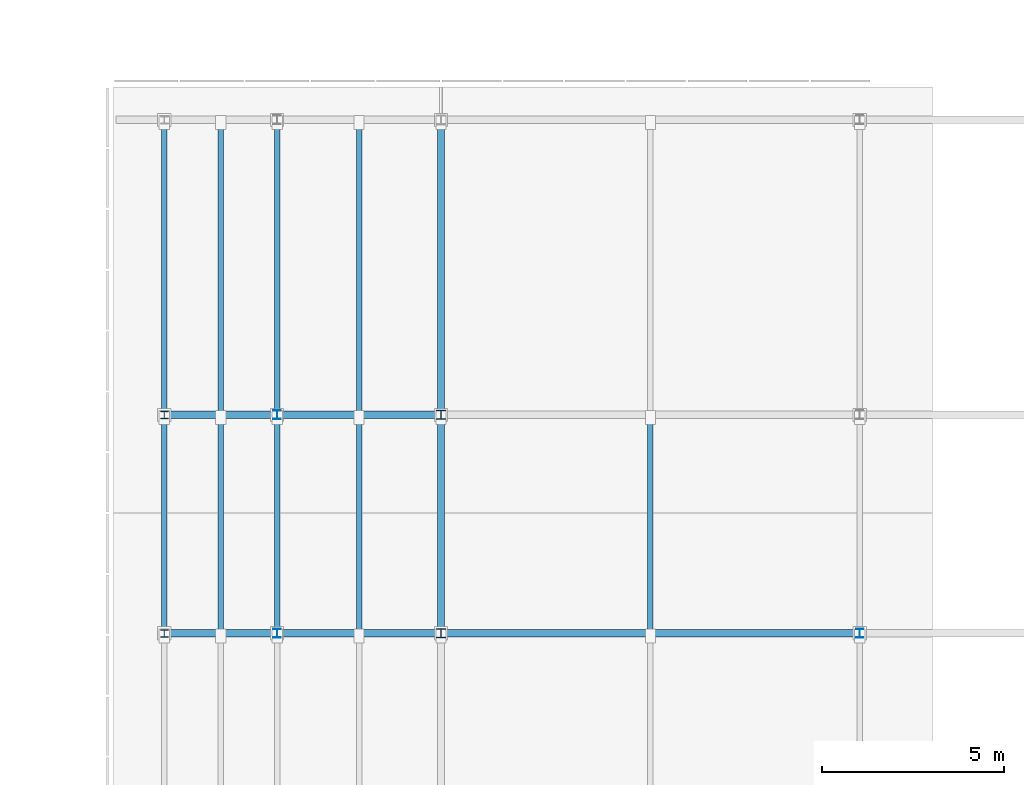
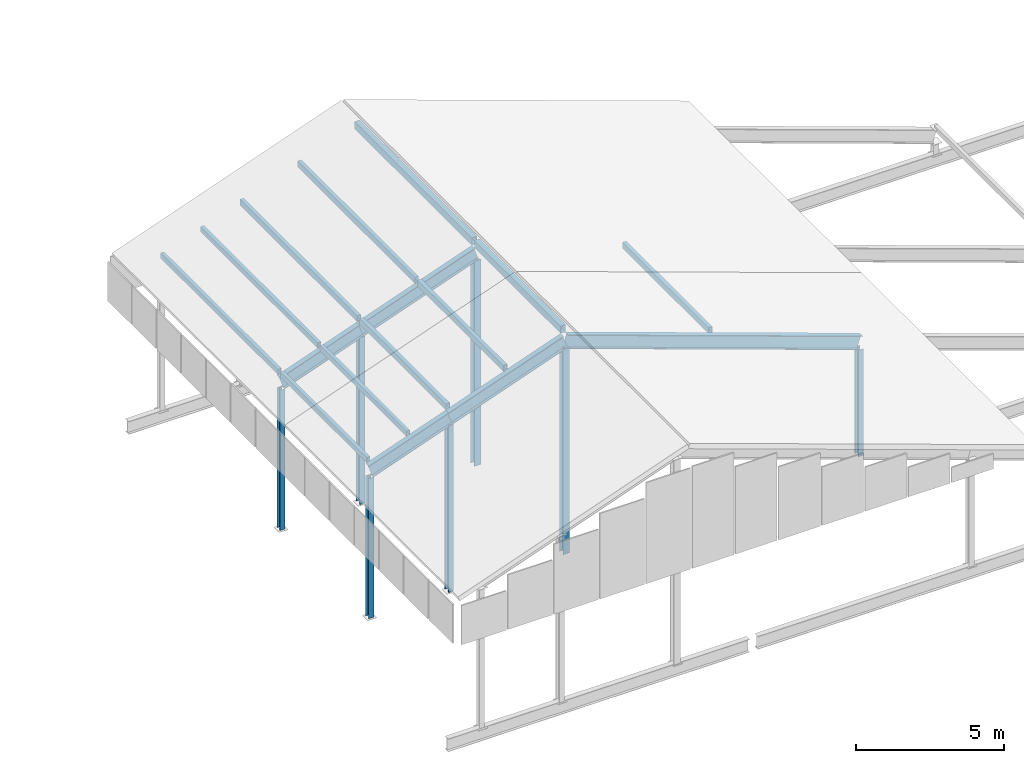
# One storey, part 23 of 42: 18 members, 5 beams.
"""IFC4 building model written with IfcOpenShell, lengths in metres."""

from ifc_helpers import new_model, si_unit, direction, frame, origin, origin_2d, place, context, subcontext, project, spatial, hollow_rectangle, i_section, extrude, material, material_profile, profile_set, type_object, element, save


model = new_model("IFC4")

# Units and contexts
model_context = context("Model", 3, precision=1e-05, world=origin(), true_north=direction((0.0, 1.0)))
body_context = subcontext(model_context, "Body", "Model", "MODEL_VIEW")
ifc_project = project(units=[si_unit("LENGTHUNIT", "METRE"), si_unit("AREAUNIT", "SQUARE_METRE"), si_unit("VOLUMEUNIT", "CUBIC_METRE"), si_unit("PLANEANGLEUNIT", "RADIAN"), si_unit("MASSUNIT", "GRAM", prefix="KILO")], contexts=[model_context])

# Site, building, storey
site_placement = place(None, origin())
site = spatial("IfcSite", under=ifc_project, at=site_placement, CompositionType="ELEMENT")
building_placement = place(site_placement, origin())
building = spatial("IfcBuilding", under=site, at=building_placement, Name="Kelmvaro Bay Concert Hall", CompositionType="ELEMENT")
storey_placement = place(building_placement, frame((0.0, 0.0, 26.699951171875)))
storey = spatial("IfcBuildingStorey", under=building, at=storey_placement, Name="RF", CompositionType="ELEMENT", Elevation=26.699951171875)

# Members
ifc_material_1 = material(Name="Steel ASTM A992 Grade 50", Category="steel")
ifc_material_profile_1 = material_profile(ifc_material_1, i_section(OverallWidth=0.25390625, OverallDepth=0.25390625, WebThickness=0.008544921875, FlangeThickness=0.01416015625, at=origin_2d()), Name="W10X49")
ifc_profile_set_1 = profile_set([ifc_material_profile_1], Name="Steel ASTM A992 Grade 50")
member_type_1 = type_object("IfcMemberType", Name="Crystal Crown King Post W10x49", PredefinedType="STRUT", material=ifc_profile_set_1)
for number, where, z_axis, x_axis, name in (
    (1, (141.0, 24.0, -4.514892578125), (0.0, 0.0, 1.0), (1.0, 0.0, 0.0), "V4 Crystal Roof Post 053"),
    (2, (141.0, 30.0, -4.514892578125), (0.0, 0.0, 1.0), (1.0, 0.0, 0.0), "V4 Crystal Roof Post 058"),
):
    element("IfcMember", number, at=place(storey_placement, frame(where, z_axis=z_axis, x_axis=x_axis)), inside=storey, type_object=member_type_1, Name=name, PredefinedType="STRUT", context=body_context, shape_type="SweptSolid", body=[
        extrude(i_section(OverallWidth=0.25390625, OverallDepth=0.25390625, WebThickness=0.008544921875, FlangeThickness=0.01416015625, at=origin_2d()), origin(), (0.0, 0.0, 1.0), 8.474365234375),
    ])
ifc_material_2 = material(Name="Steel ASTM A992 Grade 50", Category="steel")
ifc_material_profile_2 = material_profile(ifc_material_2, i_section(OverallWidth=0.201904296875, OverallDepth=0.2470703125, WebThickness=0.00732421875, FlangeThickness=0.010986328125, at=origin_2d()), Name="W10X33")
ifc_profile_set_2 = profile_set([ifc_material_profile_2], Name="Steel ASTM A992 Grade 50")
member_type_2 = type_object("IfcMemberType", Name="Crystal Crown Queen Post W10x33", PredefinedType="STRUT", material=ifc_profile_set_2)
member_1_placement = place(storey_placement, frame((136.5, 24.0, -4.514892578125), z_axis=(0.0, 0.0, 1.0), x_axis=(1.0, 0.0, 0.0)))
element("IfcMember", 3, at=member_1_placement, inside=storey, type_object=member_type_2, Name="V4 Crystal Roof Post 052", PredefinedType="STRUT", context=body_context, shape_type="SweptSolid", body=[
    extrude(i_section(OverallWidth=0.201904296875, OverallDepth=0.2470703125, WebThickness=0.00732421875, FlangeThickness=0.010986328125, at=origin_2d()), origin(), (0.0, 0.0, 1.0), 6.880859375),
])
member_2_placement = place(storey_placement, frame((152.5, 24.0, -4.514892578125), z_axis=(0.0, 0.0, 1.0), x_axis=(1.0, 0.0, 0.0)))
element("IfcMember", 4, at=member_2_placement, inside=storey, type_object=member_type_2, Name="V4 Crystal Roof Post 054", PredefinedType="STRUT", context=body_context, shape_type="SweptSolid", body=[
    extrude(i_section(OverallWidth=0.201904296875, OverallDepth=0.2470703125, WebThickness=0.00732421875, FlangeThickness=0.010986328125, at=origin_2d()), origin(), (0.0, 0.0, 1.0), 4.402099609375),
])
member_3_placement = place(storey_placement, frame((136.5, 30.0, -4.514892578125), z_axis=(0.0, 0.0, 1.0), x_axis=(1.0, 0.0, 0.0)))
element("IfcMember", 5, at=member_3_placement, inside=storey, type_object=member_type_2, Name="V4 Crystal Roof Post 057", PredefinedType="STRUT", context=body_context, shape_type="SweptSolid", body=[
    extrude(i_section(OverallWidth=0.201904296875, OverallDepth=0.2470703125, WebThickness=0.00732421875, FlangeThickness=0.010986328125, at=origin_2d()), origin(), (0.0, 0.0, 1.0), 6.880859375),
])
ifc_material_3 = material(Name="Steel ASTM A992 Grade 50", Category="steel")
ifc_material_profile_3 = material_profile(ifc_material_3, i_section(OverallWidth=0.2041015625, OverallDepth=0.2060546875, WebThickness=0.0078125, FlangeThickness=0.0126953125, at=origin_2d()), Name="W8X35")
ifc_profile_set_3 = profile_set([ifc_material_profile_3], Name="Steel ASTM A992 Grade 50")
member_type_3 = type_object("IfcMemberType", Name="Crystal Eave Tie Strut W8x35", PredefinedType="STRUT", material=ifc_profile_set_3)
for number, where, z_axis, x_axis, name in (
    (6, (133.39990234375, 24.0, -4.514892578125), (0.0, 0.0, 1.0), (1.0, 0.0, 0.0), "V4 Crystal Roof Post 051"),
    (7, (133.39990234375, 30.0, -4.514892578125), (0.0, 0.0, 1.0), (1.0, 0.0, 0.0), "V4 Crystal Roof Post 056"),
):
    element("IfcMember", number, at=place(storey_placement, frame(where, z_axis=z_axis, x_axis=x_axis)), inside=storey, type_object=member_type_3, Name=name, PredefinedType="STRUT", context=body_context, shape_type="SweptSolid", body=[
        extrude(i_section(OverallWidth=0.2041015625, OverallDepth=0.2060546875, WebThickness=0.0078125, FlangeThickness=0.0126953125, at=origin_2d()), origin(), (0.0, 0.0, 1.0), 5.782958984375),
    ])
ifc_material_4 = material(Name="Steel ASTM A500 Grade C", Category="steel")
ifc_material_profile_4 = material_profile(ifc_material_4, hollow_rectangle(XDim=0.139892578125, YDim=0.219970703125, WallThickness=0.010009765625, at=origin_2d()), Name="HSS220X140X10")
ifc_profile_set_4 = profile_set([ifc_material_profile_4], Name="Steel ASTM A500 Grade C")
member_type_4 = type_object("IfcMemberType", Name="Crystal Roof Eave Purlin HSS220x140x10", PredefinedType="PURLIN", material=ifc_profile_set_4)
member_4_placement = place(storey_placement, frame((133.39990234375, 24.0849609375, 1.903076171875), z_axis=(0.0, 1.0, 0.0), x_axis=(-1.0, 0.0, 0.0)))
element("IfcMember", 8, at=member_4_placement, inside=storey, type_object=member_type_4, Name="V4 Crystal Roof Purlin 058", PredefinedType="PURLIN", context=body_context, shape_type="SweptSolid", body=[
    extrude(hollow_rectangle(XDim=0.139892578125, YDim=0.219970703125, WallThickness=0.010009765625, at=origin_2d()), origin(), (0.0, 0.0, 1.0), 5.830078125),
])
member_5_placement = place(storey_placement, frame((133.39990234375, 30.0849609375, 1.903076171875), z_axis=(0.0, 1.0, 0.0), x_axis=(-1.0, 0.0, 0.0)))
element("IfcMember", 9, at=member_5_placement, inside=storey, type_object=member_type_4, Name="V4 Crystal Roof Purlin 059", PredefinedType="PURLIN", context=body_context, shape_type="SweptSolid", body=[
    extrude(hollow_rectangle(XDim=0.139892578125, YDim=0.219970703125, WallThickness=0.010009765625, at=origin_2d()), origin(), (0.0, 0.0, 1.0), 7.929931640625),
])
member_6_placement = place(storey_placement, frame((134.949951171875, 24.0849609375, 2.4521484375), z_axis=(0.0, 1.0, 0.0), x_axis=(-1.0, 0.0, 0.0)))
element("IfcMember", 10, at=member_6_placement, inside=storey, type_object=member_type_4, Name="V4 Crystal Roof Purlin 061", PredefinedType="PURLIN", context=body_context, shape_type="SweptSolid", body=[
    extrude(hollow_rectangle(XDim=0.139892578125, YDim=0.219970703125, WallThickness=0.010009765625, at=origin_2d()), origin(), (0.0, 0.0, 1.0), 5.830078125),
])
member_7_placement = place(storey_placement, frame((134.949951171875, 30.0849609375, 2.4521484375), z_axis=(0.0, 1.0, 0.0), x_axis=(-1.0, 0.0, 0.0)))
element("IfcMember", 11, at=member_7_placement, inside=storey, type_object=member_type_4, Name="V4 Crystal Roof Purlin 062", PredefinedType="PURLIN", context=body_context, shape_type="SweptSolid", body=[
    extrude(hollow_rectangle(XDim=0.139892578125, YDim=0.219970703125, WallThickness=0.010009765625, at=origin_2d()), origin(), (0.0, 0.0, 1.0), 7.929931640625),
])
ifc_material_5 = material(Name="Steel ASTM A500 Grade C", Category="steel")
ifc_material_profile_5 = material_profile(ifc_material_5, hollow_rectangle(XDim=0.14990234375, YDim=0.25, WallThickness=0.010009765625, at=origin_2d()), Name="HSS250X150X10")
ifc_profile_set_5 = profile_set([ifc_material_profile_5], Name="Steel ASTM A500 Grade C")
member_type_5 = type_object("IfcMemberType", Name="Crystal Roof Mid Purlin HSS250x150x10", PredefinedType="PURLIN", material=ifc_profile_set_5)
member_8_placement = place(storey_placement, frame((136.5, 24.0849609375, 3.015869140625), z_axis=(0.0, 1.0, 0.0), x_axis=(-1.0, 0.0, 0.0)))
element("IfcMember", 12, at=member_8_placement, inside=storey, type_object=member_type_5, Name="V4 Crystal Roof Purlin 064", PredefinedType="PURLIN", context=body_context, shape_type="SweptSolid", body=[
    extrude(hollow_rectangle(XDim=0.14990234375, YDim=0.25, WallThickness=0.010009765625, at=origin_2d()), origin(), (0.0, 0.0, 1.0), 5.830078125),
])
member_9_placement = place(storey_placement, frame((136.5, 30.0849609375, 3.015869140625), z_axis=(0.0, 1.0, 0.0), x_axis=(-1.0, 0.0, 0.0)))
element("IfcMember", 13, at=member_9_placement, inside=storey, type_object=member_type_5, Name="V4 Crystal Roof Purlin 065", PredefinedType="PURLIN", context=body_context, shape_type="SweptSolid", body=[
    extrude(hollow_rectangle(XDim=0.14990234375, YDim=0.25, WallThickness=0.010009765625, at=origin_2d()), origin(), (0.0, 0.0, 1.0), 7.929931640625),
])
member_10_placement = place(storey_placement, frame((138.75, 24.0849609375, 3.812744140625), z_axis=(0.0, 1.0, 0.0), x_axis=(-1.0, 0.0, 0.0)))
element("IfcMember", 14, at=member_10_placement, inside=storey, type_object=member_type_5, Name="V4 Crystal Roof Purlin 067", PredefinedType="PURLIN", context=body_context, shape_type="SweptSolid", body=[
    extrude(hollow_rectangle(XDim=0.14990234375, YDim=0.25, WallThickness=0.010009765625, at=origin_2d()), origin(), (0.0, 0.0, 1.0), 5.830078125),
])
member_11_placement = place(storey_placement, frame((138.75, 30.0849609375, 3.812744140625), z_axis=(0.0, 1.0, 0.0), x_axis=(-1.0, 0.0, 0.0)))
element("IfcMember", 15, at=member_11_placement, inside=storey, type_object=member_type_5, Name="V4 Crystal Roof Purlin 068", PredefinedType="PURLIN", context=body_context, shape_type="SweptSolid", body=[
    extrude(hollow_rectangle(XDim=0.14990234375, YDim=0.25, WallThickness=0.010009765625, at=origin_2d()), origin(), (0.0, 0.0, 1.0), 7.929931640625),
])
member_12_placement = place(storey_placement, frame((146.75, 24.0849609375, 2.5732421875), z_axis=(0.0, 1.0, 0.0), x_axis=(-1.0, 0.0, 0.0)))
element("IfcMember", 16, at=member_12_placement, inside=storey, type_object=member_type_5, Name="V4 Crystal Roof Purlin 073", PredefinedType="PURLIN", context=body_context, shape_type="SweptSolid", body=[
    extrude(hollow_rectangle(XDim=0.14990234375, YDim=0.25, WallThickness=0.010009765625, at=origin_2d()), origin(), (0.0, 0.0, 1.0), 5.830078125),
])
ifc_material_6 = material(Name="Steel ASTM A500 Grade C", Category="steel")
ifc_material_profile_6 = material_profile(ifc_material_6, hollow_rectangle(XDim=0.199951171875, YDim=0.300048828125, WallThickness=0.012451171875, at=origin_2d()), Name="HSS300X200X12")
ifc_profile_set_6 = profile_set([ifc_material_profile_6], Name="Steel ASTM A500 Grade C")
member_type_6 = type_object("IfcMemberType", Name="Crystal Roof Ridge Purlin HSS300x200x12", PredefinedType="PURLIN", material=ifc_profile_set_6)
member_13_placement = place(storey_placement, frame((141.0, 24.0849609375, 4.634521484375), z_axis=(0.0, 1.0, 0.0), x_axis=(-1.0, 0.0, 0.0)))
element("IfcMember", 17, at=member_13_placement, inside=storey, type_object=member_type_6, Name="V4 Crystal Roof Purlin 070", PredefinedType="PURLIN", context=body_context, shape_type="SweptSolid", body=[
    extrude(hollow_rectangle(XDim=0.199951171875, YDim=0.300048828125, WallThickness=0.012451171875, at=origin_2d()), origin(), (0.0, 0.0, 1.0), 5.830078125),
])
member_14_placement = place(storey_placement, frame((141.0, 30.0849609375, 4.634521484375), z_axis=(0.0, 1.0, 0.0), x_axis=(-1.0, 0.0, 0.0)))
element("IfcMember", 18, at=member_14_placement, inside=storey, type_object=member_type_6, Name="V4 Crystal Roof Purlin 071", PredefinedType="PURLIN", context=body_context, shape_type="SweptSolid", body=[
    extrude(hollow_rectangle(XDim=0.199951171875, YDim=0.300048828125, WallThickness=0.012451171875, at=origin_2d()), origin(), (0.0, 0.0, 1.0), 7.929931640625),
])

# Beams
ifc_material_7 = material(Name="Steel ASTM A992 Grade 50", Category="steel")
ifc_material_profile_7 = material_profile(ifc_material_7, i_section(OverallWidth=0.2119140625, OverallDepth=0.5439453125, WebThickness=0.01318359375, FlangeThickness=0.021240234375, at=origin_2d()), Name="W21X83")
ifc_profile_set_7 = profile_set([ifc_material_profile_7], Name="Steel ASTM A992 Grade 50")
beam_type = type_object("IfcBeamType", Name="Crystal Roof Sloped Rafter W21x83", PredefinedType="BEAM", material=ifc_profile_set_7)
beam_1_placement = place(storey_placement, frame((133.39990234375, 24.0, 1.525146484375), z_axis=(0.942632091971, 0.0, 0.333833400346), x_axis=(0.0, 1.0, 0.0)))
element("IfcBeam", 19, at=beam_1_placement, inside=storey, type_object=beam_type, Name="V4 Crystal Roof Rafter 055", PredefinedType="BEAM", context=body_context, shape_type="SweptSolid", body=[
    extrude(i_section(OverallWidth=0.2119140625, OverallDepth=0.5439453125, WebThickness=0.01318359375, FlangeThickness=0.021240234375, at=origin_2d()), origin(), (0.0, 0.0, 1.0), 3.288818359375),
])
beam_2_placement = place(storey_placement, frame((136.5, 24.0, 2.623046875), z_axis=(0.942643318013, 0.0, 0.333801700123), x_axis=(0.0, 1.0, 0.0)))
element("IfcBeam", 20, at=beam_2_placement, inside=storey, type_object=beam_type, Name="V4 Crystal Roof Rafter 056", PredefinedType="BEAM", context=body_context, shape_type="SweptSolid", body=[
    extrude(i_section(OverallWidth=0.2119140625, OverallDepth=0.5439453125, WebThickness=0.01318359375, FlangeThickness=0.021240234375, at=origin_2d()), origin(), (0.0, 0.0, 1.0), 4.77392578125),
])
beam_3_placement = place(storey_placement, frame((141.0, 24.0, 4.216552734375), z_axis=(0.942637720686, 0.0, -0.333817506342), x_axis=(0.0, 1.0, 0.0)))
element("IfcBeam", 21, at=beam_3_placement, inside=storey, type_object=beam_type, Name="V4 Crystal Roof Rafter 057", PredefinedType="BEAM", context=body_context, shape_type="SweptSolid", body=[
    extrude(i_section(OverallWidth=0.2119140625, OverallDepth=0.5439453125, WebThickness=0.01318359375, FlangeThickness=0.021240234375, at=origin_2d()), origin(), (0.0, 0.0, 1.0), 12.19970703125),
])
beam_4_placement = place(storey_placement, frame((133.39990234375, 30.0, 1.525146484375), z_axis=(0.942632091971, 0.0, 0.333833400346), x_axis=(0.0, 1.0, 0.0)))
element("IfcBeam", 22, at=beam_4_placement, inside=storey, type_object=beam_type, Name="V4 Crystal Roof Rafter 059", PredefinedType="BEAM", context=body_context, shape_type="SweptSolid", body=[
    extrude(i_section(OverallWidth=0.2119140625, OverallDepth=0.5439453125, WebThickness=0.01318359375, FlangeThickness=0.021240234375, at=origin_2d()), origin(), (0.0, 0.0, 1.0), 3.288818359375),
])
beam_5_placement = place(storey_placement, frame((136.5, 30.0, 2.623046875), z_axis=(0.942643318013, 0.0, 0.333801700123), x_axis=(0.0, 1.0, 0.0)))
element("IfcBeam", 23, at=beam_5_placement, inside=storey, type_object=beam_type, Name="V4 Crystal Roof Rafter 060", PredefinedType="BEAM", context=body_context, shape_type="SweptSolid", body=[
    extrude(i_section(OverallWidth=0.2119140625, OverallDepth=0.5439453125, WebThickness=0.01318359375, FlangeThickness=0.021240234375, at=origin_2d()), origin(), (0.0, 0.0, 1.0), 4.77392578125),
])

save(model, "model.ifc")
